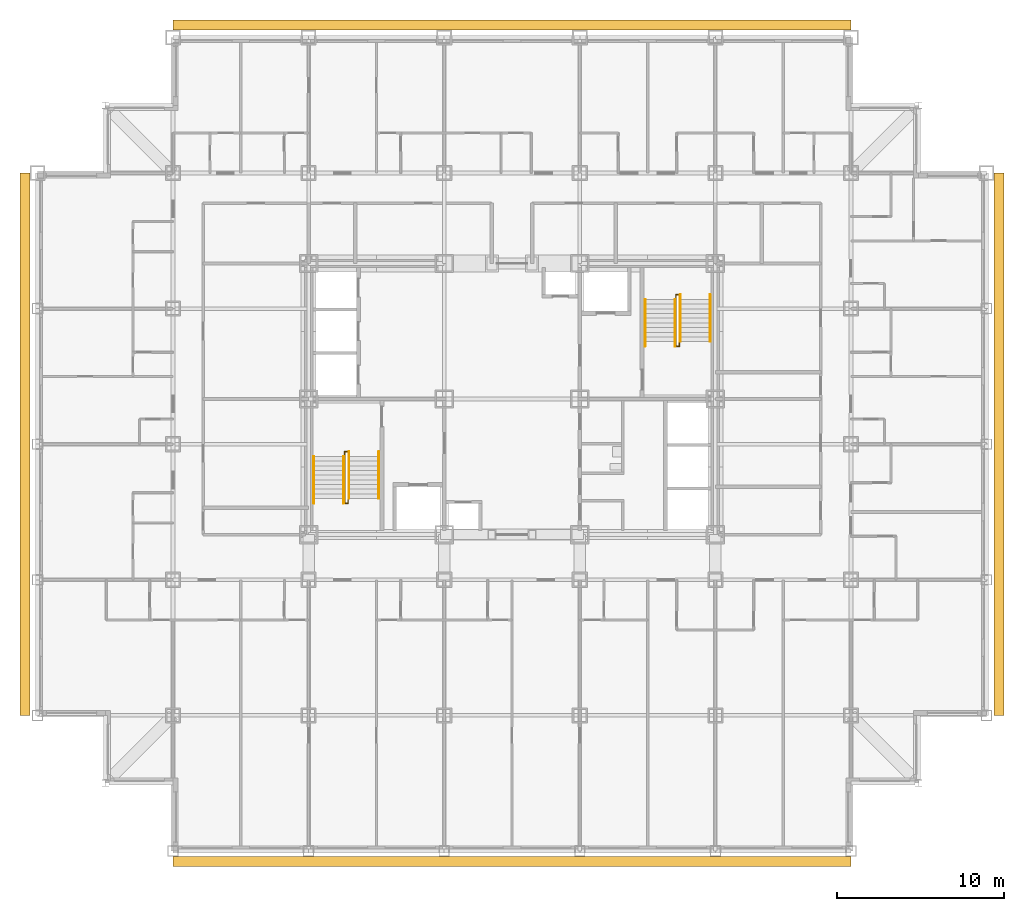
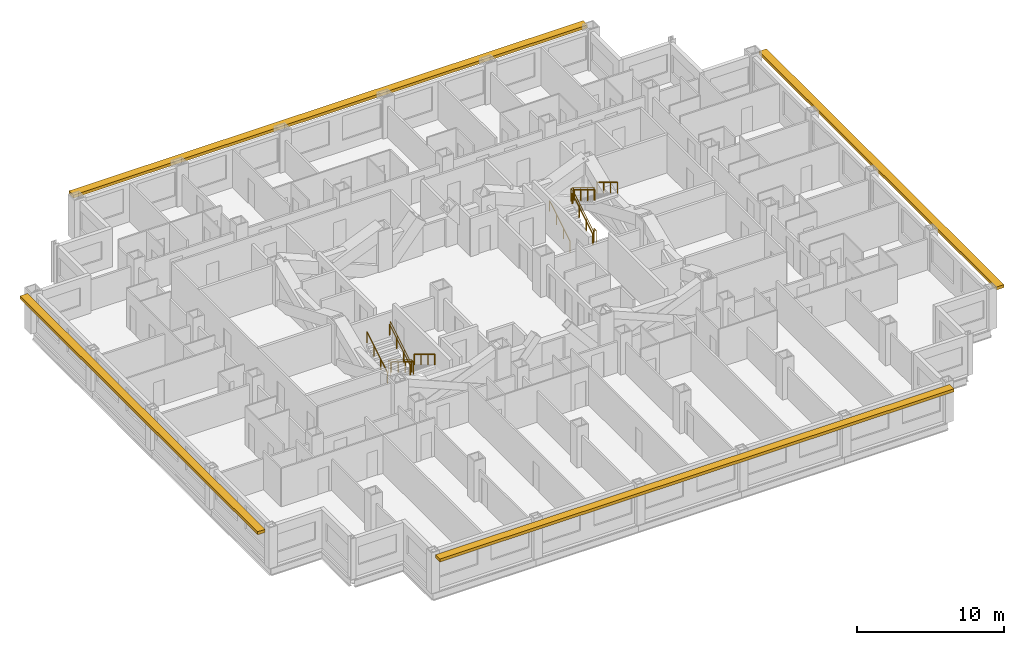
# One storey, part 13 of 14: 10 railings, 4 shading devices.
"""IFC4 building model written with IfcOpenShell, lengths in metres."""

from ifc_helpers import new_model, si_unit, direction, frame, origin, origin_2d, place, context, subcontext, project, spatial, rectangle, circle, extrude, material, type_object, element, save


model = new_model("IFC4")

# Units and contexts
model_context = context("Model", 3, precision=1e-05, world=origin(), true_north=direction((0.0, 1.0)))
body_context = subcontext(model_context, "Body", "Model", "MODEL_VIEW")
ifc_project = project(units=[si_unit("LENGTHUNIT", "METRE"), si_unit("AREAUNIT", "SQUARE_METRE"), si_unit("VOLUMEUNIT", "CUBIC_METRE"), si_unit("PLANEANGLEUNIT", "RADIAN"), si_unit("MASSUNIT", "GRAM", prefix="KILO")], contexts=[model_context])

# Site, building, storey
site_placement = place(None, origin())
site = spatial("IfcSite", under=ifc_project, at=site_placement, CompositionType="ELEMENT")
building_placement = place(site_placement, origin())
building = spatial("IfcBuilding", under=site, at=building_placement, Name="Kopane Lantern Tower", CompositionType="ELEMENT")
storey_placement = place(building_placement, frame((0.0, 0.0, 127.199951171875)))
storey = spatial("IfcBuildingStorey", under=building, at=storey_placement, Name="L32", CompositionType="ELEMENT", Elevation=127.199951171875)

# Railings
ifc_material_1 = material(Name="Steel", Category="steel")
railing_type_1 = type_object("IfcRailingType", Name="STAIR GUARD 1100", PredefinedType="GUARDRAIL", material=ifc_material_1)
railing_1_placement = place(storey_placement, frame((18.35009765625, 28.969970703125, 0.0)))
element("IfcRailing", 1, at=railing_1_placement, inside=storey, type_object=railing_type_1, Name="ST1 well guard L32", PredefinedType="GUARDRAIL", context=body_context, shape_type="SweptSolid", body=[
    extrude(circle(Radius=0.02392578125, at=origin_2d()), frame((0.0, 0.0, 1.076171875), z_axis=(0.0, 1.0, 0.0), x_axis=(-1.0, 0.0, 0.0)), (0.0, 0.0, 1.0), 0.280029296875),
    extrude(circle(Radius=0.02392578125, at=origin_2d()), frame((0.0, 0.280029296875, 1.076171875), z_axis=(1.0, 0.0, 0.0), x_axis=(0.0, 1.0, 0.0)), (0.0, 0.0, 1.0), 0.199951171875),
    extrude(circle(Radius=0.02392578125, at=origin_2d()), frame((0.199951171875, 0.280029296875, 1.076171875), z_axis=(0.0, -0.854798142509, 0.518960630071), x_axis=(1.0, 0.0, 0.0)), (0.0, 0.0, 1.0), 3.275634765625),
    extrude(circle(Radius=0.02392578125, at=origin_2d()), frame((0.199951171875, -2.52001953125, 2.77587890625), z_axis=(0.0, -1.0, 0.0), x_axis=(1.0, 0.0, 0.0)), (0.0, 0.0, 1.0), 0.280029296875),
    extrude(circle(Radius=0.02392578125, at=origin_2d()), frame((0.199951171875, -2.800048828125, 2.77587890625), z_axis=(-1.0, 0.0, 0.0), x_axis=(0.0, -1.0, 0.0)), (0.0, 0.0, 1.0), 0.199951171875),
    extrude(circle(Radius=0.02392578125, at=origin_2d()), frame((0.0, -2.800048828125, 2.77587890625), z_axis=(0.0, 0.854765079529, 0.519015085347), x_axis=(-1.0, 0.0, 0.0)), (0.0, 0.0, 1.0), 3.27587890625),
    extrude(circle(Radius=0.02099609375, at=origin_2d()), origin(), (0.0, 0.0, 1.0), 1.052001953125),
    extrude(circle(Radius=0.02099609375, at=origin_2d()), frame((0.0, 0.280029296875, 0.0)), (0.0, 0.0, 1.0), 1.052001953125),
    extrude(circle(Radius=0.02099609375, at=origin_2d()), frame((0.199951171875, 0.280029296875, 0.0)), (0.0, 0.0, 1.0), 1.052001953125),
    extrude(circle(Radius=0.02099609375, at=origin_2d()), frame((0.199951171875, -0.6533203125, 0.566650390625)), (0.0, 0.0, 1.0), 1.052001953125),
    extrude(circle(Radius=0.02099609375, at=origin_2d()), frame((0.199951171875, -1.586669921875, 1.13330078125)), (0.0, 0.0, 1.0), 1.052001953125),
    extrude(circle(Radius=0.02099609375, at=origin_2d()), frame((0.199951171875, -2.52001953125, 1.699951171875)), (0.0, 0.0, 1.0), 1.052001953125),
    extrude(circle(Radius=0.02099609375, at=origin_2d()), frame((0.199951171875, -2.800048828125, 1.699951171875)), (0.0, 0.0, 1.0), 1.052001953125),
    extrude(circle(Radius=0.02099609375, at=origin_2d()), frame((0.0, -2.800048828125, 1.699951171875)), (0.0, 0.0, 1.0), 1.052001953125),
    extrude(circle(Radius=0.02099609375, at=origin_2d()), frame((0.0, -1.86669921875, 2.2666015625)), (0.0, 0.0, 1.0), 1.052001953125),
    extrude(circle(Radius=0.02099609375, at=origin_2d()), frame((0.0, -0.933349609375, 2.83349609375)), (0.0, 0.0, 1.0), 1.052001953125),
    extrude(circle(Radius=0.02099609375, at=origin_2d()), frame((0.0, 0.0, 3.400146484375)), (0.0, 0.0, 1.0), 1.052001953125),
])
railing_2_placement = place(storey_placement, frame((38.35009765625, 35.830078125, 0.0)))
element("IfcRailing", 2, at=railing_2_placement, inside=storey, type_object=railing_type_1, Name="ST2 well guard L32", PredefinedType="GUARDRAIL", context=body_context, shape_type="SweptSolid", body=[
    extrude(circle(Radius=0.02392578125, at=origin_2d()), frame((0.0, 0.0, 1.076171875), z_axis=(0.0, -1.0, 0.0), x_axis=(1.0, 0.0, 0.0)), (0.0, 0.0, 1.0), 0.280029296875),
    extrude(circle(Radius=0.02392578125, at=origin_2d()), frame((0.0, -0.280029296875, 1.076171875), z_axis=(-1.0, 0.0, 0.0), x_axis=(0.0, -1.0, 0.0)), (0.0, 0.0, 1.0), 0.2001953125),
    extrude(circle(Radius=0.02392578125, at=origin_2d()), frame((-0.2001953125, -0.280029296875, 1.076171875), z_axis=(0.0, 0.854798142509, 0.518960630071), x_axis=(-1.0, 0.0, 0.0)), (0.0, 0.0, 1.0), 3.275634765625),
    extrude(circle(Radius=0.02392578125, at=origin_2d()), frame((-0.2001953125, 2.52001953125, 2.77587890625), z_axis=(0.0, 1.0, 0.0), x_axis=(-1.0, 0.0, 0.0)), (0.0, 0.0, 1.0), 0.27978515625),
    extrude(circle(Radius=0.02392578125, at=origin_2d()), frame((-0.2001953125, 2.7998046875, 2.77587890625), z_axis=(1.0, 0.0, 0.0), x_axis=(0.0, 1.0, 0.0)), (0.0, 0.0, 1.0), 0.2001953125),
    extrude(circle(Radius=0.02392578125, at=origin_2d()), frame((0.0, 2.7998046875, 2.77587890625), z_axis=(0.0, -0.854745001426, 0.5190481505), x_axis=(1.0, 0.0, 0.0)), (0.0, 0.0, 1.0), 3.275634765625),
    extrude(circle(Radius=0.02099609375, at=origin_2d()), origin(), (0.0, 0.0, 1.0), 1.052001953125),
    extrude(circle(Radius=0.02099609375, at=origin_2d()), frame((0.0, -0.280029296875, 0.0)), (0.0, 0.0, 1.0), 1.052001953125),
    extrude(circle(Radius=0.02099609375, at=origin_2d()), frame((-0.2001953125, -0.280029296875, 0.0)), (0.0, 0.0, 1.0), 1.052001953125),
    extrude(circle(Radius=0.02099609375, at=origin_2d()), frame((-0.2001953125, 0.6533203125, 0.566650390625)), (0.0, 0.0, 1.0), 1.052001953125),
    extrude(circle(Radius=0.02099609375, at=origin_2d()), frame((-0.2001953125, 1.586669921875, 1.13330078125)), (0.0, 0.0, 1.0), 1.052001953125),
    extrude(circle(Radius=0.02099609375, at=origin_2d()), frame((-0.2001953125, 2.52001953125, 1.699951171875)), (0.0, 0.0, 1.0), 1.052001953125),
    extrude(circle(Radius=0.02099609375, at=origin_2d()), frame((-0.2001953125, 2.7998046875, 1.699951171875)), (0.0, 0.0, 1.0), 1.052001953125),
    extrude(circle(Radius=0.02099609375, at=origin_2d()), frame((0.0, 2.7998046875, 1.699951171875)), (0.0, 0.0, 1.0), 1.052001953125),
    extrude(circle(Radius=0.02099609375, at=origin_2d()), frame((0.0, 1.866455078125, 2.2666015625)), (0.0, 0.0, 1.0), 1.052001953125),
    extrude(circle(Radius=0.02099609375, at=origin_2d()), frame((0.0, 0.933349609375, 2.83349609375)), (0.0, 0.0, 1.0), 1.052001953125),
    extrude(circle(Radius=0.02099609375, at=origin_2d()), frame((0.0, 0.0, 3.400146484375)), (0.0, 0.0, 1.0), 1.052001953125),
])
ifc_material_2 = material(Name="Steel", Category="steel")
railing_type_2 = type_object("IfcRailingType", Name="STAIR HANDRAIL 900", PredefinedType="HANDRAIL", material=ifc_material_2)
for number, where, name in (
    (3, (20.389892578125, 29.25, 0.0), "ST1 handrail L32 flight 1"),
    (4, (18.610107421875, 29.25, 0.0), "ST1 handrail L32 flight 1"),
):
    element("IfcRailing", number, at=place(storey_placement, frame(where)), inside=storey, type_object=railing_type_2, Name=name, PredefinedType="HANDRAIL", context=body_context, shape_type="SweptSolid", body=[
        extrude(circle(Radius=0.02392578125, at=origin_2d()), frame((0.0, 0.0, 0.8759765625), z_axis=(0.0, -0.854798142509, 0.518960630071), x_axis=(1.0, 0.0, 0.0)), (0.0, 0.0, 1.0), 3.275634765625),
        extrude(circle(Radius=0.02099609375, at=origin_2d()), origin(), (0.0, 0.0, 1.0), 0.851806640625),
        extrude(circle(Radius=0.02099609375, at=origin_2d()), frame((0.0, -0.933349609375, 0.566650390625)), (0.0, 0.0, 1.0), 0.851806640625),
        extrude(circle(Radius=0.02099609375, at=origin_2d()), frame((0.0, -1.86669921875, 1.13330078125)), (0.0, 0.0, 1.0), 0.851806640625),
        extrude(circle(Radius=0.02099609375, at=origin_2d()), frame((0.0, -2.800048828125, 1.699951171875)), (0.0, 0.0, 1.0), 0.851806640625),
    ])
for number, where, name in (
    (5, (16.510009765625, 26.169921875, 1.699951171875), "ST1 handrail L32 flight 2"),
    (6, (18.2900390625, 26.169921875, 1.699951171875), "ST1 handrail L32 flight 2"),
):
    element("IfcRailing", number, at=place(storey_placement, frame(where)), inside=storey, type_object=railing_type_2, Name=name, PredefinedType="HANDRAIL", context=body_context, shape_type="SweptSolid", body=[
        extrude(circle(Radius=0.02392578125, at=origin_2d()), frame((0.0, 0.0, 0.8759765625), z_axis=(0.0, 0.854765079529, 0.519015085347), x_axis=(-1.0, 0.0, 0.0)), (0.0, 0.0, 1.0), 3.27587890625),
        extrude(circle(Radius=0.02099609375, at=origin_2d()), origin(), (0.0, 0.0, 1.0), 0.851806640625),
        extrude(circle(Radius=0.02099609375, at=origin_2d()), frame((0.0, 0.933349609375, 0.566650390625)), (0.0, 0.0, 1.0), 0.851806640625),
        extrude(circle(Radius=0.02099609375, at=origin_2d()), frame((0.0, 1.86669921875, 1.133544921875)), (0.0, 0.0, 1.0), 0.851806640625),
        extrude(circle(Radius=0.02099609375, at=origin_2d()), frame((0.0, 2.800048828125, 1.7001953125)), (0.0, 0.0, 1.0), 0.851806640625),
    ])
for number, where, name in (
    (7, (36.31005859375, 35.550048828125, 0.0), "ST2 handrail L32 flight 1"),
    (8, (38.090087890625, 35.550048828125, 0.0), "ST2 handrail L32 flight 1"),
):
    element("IfcRailing", number, at=place(storey_placement, frame(where)), inside=storey, type_object=railing_type_2, Name=name, PredefinedType="HANDRAIL", context=body_context, shape_type="SweptSolid", body=[
        extrude(circle(Radius=0.02392578125, at=origin_2d()), frame((0.0, 0.0, 0.8759765625), z_axis=(0.0, 0.854798142509, 0.518960630071), x_axis=(-1.0, 0.0, 0.0)), (0.0, 0.0, 1.0), 3.275634765625),
        extrude(circle(Radius=0.02099609375, at=origin_2d()), origin(), (0.0, 0.0, 1.0), 0.851806640625),
        extrude(circle(Radius=0.02099609375, at=origin_2d()), frame((0.0, 0.933349609375, 0.566650390625)), (0.0, 0.0, 1.0), 0.851806640625),
        extrude(circle(Radius=0.02099609375, at=origin_2d()), frame((0.0, 1.86669921875, 1.13330078125)), (0.0, 0.0, 1.0), 0.851806640625),
        extrude(circle(Radius=0.02099609375, at=origin_2d()), frame((0.0, 2.800048828125, 1.699951171875)), (0.0, 0.0, 1.0), 0.851806640625),
    ])
for number, where, name in (
    (9, (40.18994140625, 38.6298828125, 1.699951171875), "ST2 handrail L32 flight 2"),
    (10, (38.409912109375, 38.6298828125, 1.699951171875), "ST2 handrail L32 flight 2"),
):
    element("IfcRailing", number, at=place(storey_placement, frame(where)), inside=storey, type_object=railing_type_2, Name=name, PredefinedType="HANDRAIL", context=body_context, shape_type="SweptSolid", body=[
        extrude(circle(Radius=0.02392578125, at=origin_2d()), frame((0.0, 0.0, 0.8759765625), z_axis=(0.0, -0.854745001426, 0.5190481505), x_axis=(1.0, 0.0, 0.0)), (0.0, 0.0, 1.0), 3.275634765625),
        extrude(circle(Radius=0.02099609375, at=origin_2d()), origin(), (0.0, 0.0, 1.0), 0.851806640625),
        extrude(circle(Radius=0.02099609375, at=origin_2d()), frame((0.0, -0.933349609375, 0.566650390625)), (0.0, 0.0, 1.0), 0.851806640625),
        extrude(circle(Radius=0.02099609375, at=origin_2d()), frame((0.0, -1.866455078125, 1.133544921875)), (0.0, 0.0, 1.0), 0.851806640625),
        extrude(circle(Radius=0.02099609375, at=origin_2d()), frame((0.0, -2.7998046875, 1.7001953125)), (0.0, 0.0, 1.0), 0.851806640625),
    ])

# Shading devices
ifc_material_3 = material(Name="Terracotta rainscreen on light steel framing", Category="masonry")
shading_device_type = type_object("IfcShadingDeviceType", Name="SUNSHADE BAND SB1 600 TERRACOTTA", PredefinedType="USERDEFINED", material=ifc_material_3)
shading_device_1_placement = place(storey_placement, frame((28.35009765625, 4.77490234375, 2.900146484375), z_axis=(0.0, 0.0, 1.0), x_axis=(1.0, 0.0, 0.0)))
element("IfcShadingDevice", 11, at=shading_device_1_placement, inside=storey, type_object=shading_device_type, Name="Sunshade band S L32", ObjectType="SUNSHADE BAND", PredefinedType="USERDEFINED", context=body_context, shape_type="SweptSolid", body=[
    extrude(rectangle(XDim=40.5, YDim=0.60009765625, at=origin_2d()), origin(), (0.0, 0.0, 1.0), 0.25),
])
shading_device_2_placement = place(storey_placement, frame((57.449951171875, 29.699951171875, 2.900146484375), z_axis=(0.0, 0.0, 1.0), x_axis=(0.0, 1.0, 0.0)))
element("IfcShadingDevice", 12, at=shading_device_2_placement, inside=storey, type_object=shading_device_type, Name="Sunshade band E L32", ObjectType="SUNSHADE BAND", PredefinedType="USERDEFINED", context=body_context, shape_type="SweptSolid", body=[
    extrude(rectangle(XDim=32.39990234375, YDim=0.60009765625, at=origin_2d()), origin(), (0.0, 0.0, 1.0), 0.25),
])
shading_device_3_placement = place(storey_placement, frame((28.35009765625, 54.75, 2.900146484375), z_axis=(0.0, 0.0, 1.0), x_axis=(-1.0, 0.0, 0.0)))
element("IfcShadingDevice", 13, at=shading_device_3_placement, inside=storey, type_object=shading_device_type, Name="Sunshade band N L32", ObjectType="SUNSHADE BAND", PredefinedType="USERDEFINED", context=body_context, shape_type="SweptSolid", body=[
    extrude(rectangle(XDim=40.5, YDim=0.60009765625, at=origin_2d()), origin(), (0.0, 0.0, 1.0), 0.25),
])
shading_device_4_placement = place(storey_placement, frame((-0.75, 29.699951171875, 2.900146484375), z_axis=(0.0, 0.0, 1.0), x_axis=(0.0, -1.0, 0.0)))
element("IfcShadingDevice", 14, at=shading_device_4_placement, inside=storey, type_object=shading_device_type, Name="Sunshade band W L32", ObjectType="SUNSHADE BAND", PredefinedType="USERDEFINED", context=body_context, shape_type="SweptSolid", body=[
    extrude(rectangle(XDim=32.39990234375, YDim=0.60009765625, at=origin_2d()), origin(), (0.0, 0.0, 1.0), 0.25),
])

save(model, "model.ifc")
